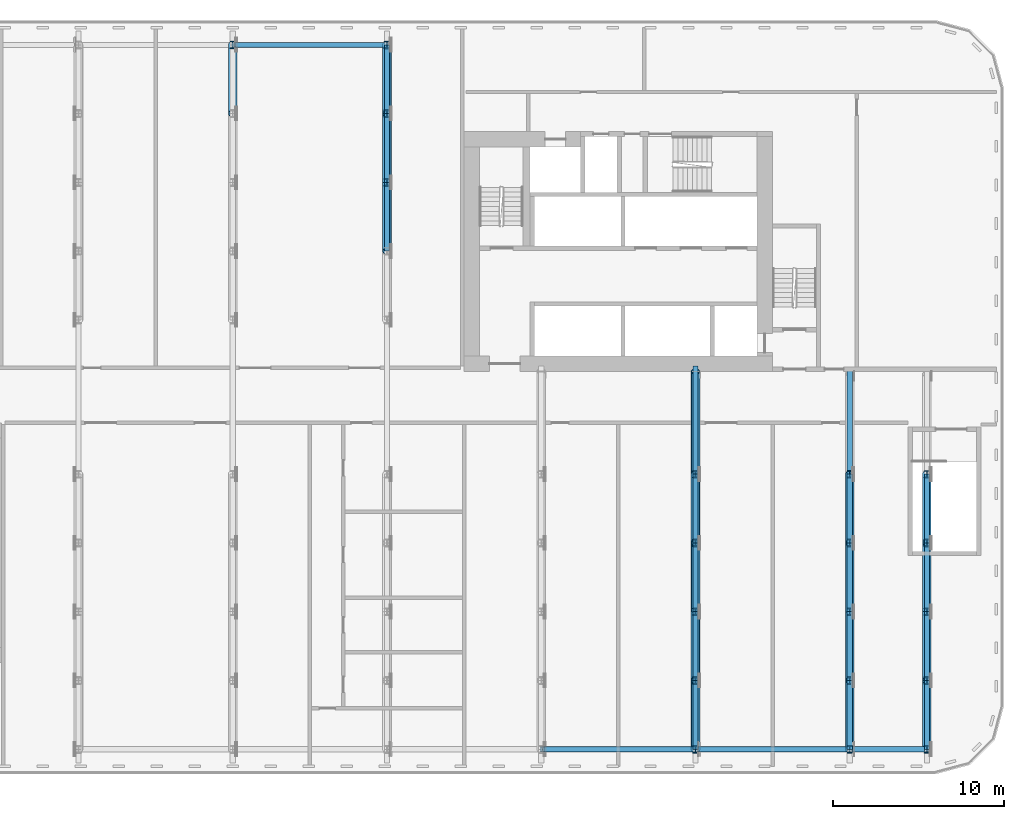
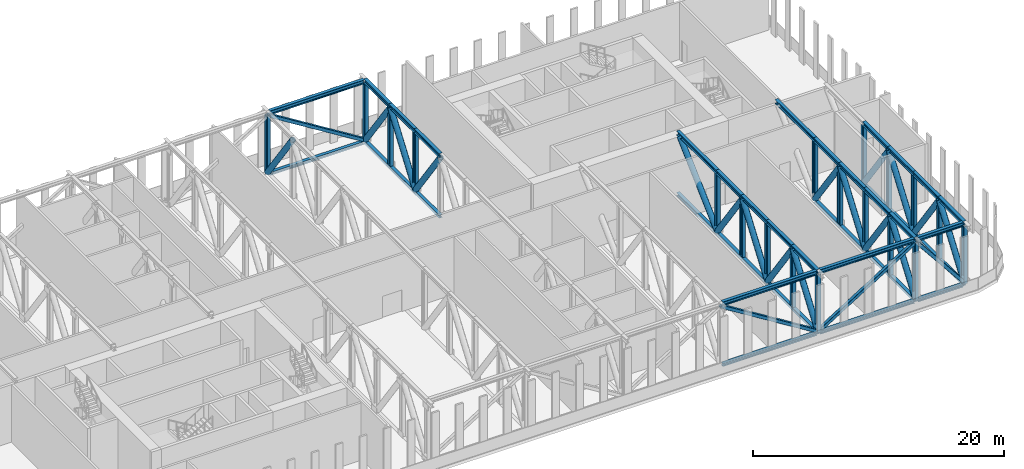
# One storey, part 4 of 26: 81 members.
"""IFC4 building model written with IfcOpenShell, lengths in metres."""

from ifc_helpers import new_model, si_unit, direction, frame, origin, origin_2d, place, context, subcontext, project, spatial, hollow_rectangle, hollow_circle, i_section, extrude, material, material_profile, profile_set, type_object, element, save


model = new_model("IFC4")

# Units and contexts
model_context = context("Model", 3, precision=1e-05, world=origin(), true_north=direction((0.0, 1.0)))
body_context = subcontext(model_context, "Body", "Model", "MODEL_VIEW")
ifc_project = project(units=[si_unit("LENGTHUNIT", "METRE"), si_unit("AREAUNIT", "SQUARE_METRE"), si_unit("VOLUMEUNIT", "CUBIC_METRE"), si_unit("PLANEANGLEUNIT", "RADIAN"), si_unit("MASSUNIT", "GRAM", prefix="KILO")], contexts=[model_context])

# Site, building, storey
site_placement = place(None, origin())
site = spatial("IfcSite", under=ifc_project, at=site_placement, CompositionType="ELEMENT")
building_placement = place(site_placement, origin())
building = spatial("IfcBuilding", under=site, at=building_placement, Name="Kajstack Hotel Tower", CompositionType="ELEMENT")
storey_placement = place(building_placement, frame((0.0, 0.0, 47.0)))
storey = spatial("IfcBuildingStorey", under=building, at=storey_placement, Name="L07", CompositionType="ELEMENT", Elevation=47.0)

# Members
ifc_material = material(Name="Steel S355J2", Category="steel")
ifc_material_profile_1 = material_profile(ifc_material, i_section(OverallWidth=0.300048828125, OverallDepth=0.300048828125, WebThickness=0.010986328125, FlangeThickness=0.01904296875, FilletRadius=0.027099609375, at=origin_2d()), Name="HEB 300")
ifc_profile_set_1 = profile_set([ifc_material_profile_1], Name="Steel S355J2")
member_type_1 = type_object("IfcMemberType", Name="Belt truss bottom chord BB1 HEB 300", PredefinedType="CHORD", material=ifc_profile_set_1)
for number, where, z_axis, x_axis, name in (
    (1, (18.14990234375, -20.550048828125, -0.14990234375), (1.0, 0.0, 0.0), (0.0, 1.0, 0.0), "S-belt-truss-L07-s08-b"),
    (2, (27.14990234375, -20.550048828125, -0.14990234375), (1.0, 0.0, 0.0), (0.0, 1.0, 0.0), "S-belt-truss-L07-s09-b"),
):
    element("IfcMember", number, at=place(storey_placement, frame(where, z_axis=z_axis, x_axis=x_axis)), inside=storey, type_object=member_type_1, Name=name, PredefinedType="CHORD", context=body_context, shape_type="SweptSolid", body=[
        extrude(i_section(OverallWidth=0.300048828125, OverallDepth=0.300048828125, WebThickness=0.010986328125, FlangeThickness=0.01904296875, FilletRadius=0.027099609375, at=origin_2d()), origin(), (0.0, 0.0, 1.0), 8.7001953125),
    ])
member_1_placement = place(storey_placement, frame((36.14990234375, -20.550048828125, -0.14990234375), z_axis=(1.0, 0.0, 0.0), x_axis=(0.0, 1.0, 0.0)))
element("IfcMember", 3, at=member_1_placement, inside=storey, type_object=member_type_1, Name="S-belt-truss-L07-s10-b", PredefinedType="CHORD", context=body_context, shape_type="SweptSolid", body=[
    extrude(i_section(OverallWidth=0.300048828125, OverallDepth=0.300048828125, WebThickness=0.010986328125, FlangeThickness=0.01904296875, FilletRadius=0.027099609375, at=origin_2d()), origin(), (0.0, 0.0, 1.0), 4.2001953125),
])
member_2_placement = place(storey_placement, frame((0.14990234375, 20.550048828125, -0.14990234375), z_axis=(1.0, 0.0, 0.0), x_axis=(0.0, 1.0, 0.0)))
element("IfcMember", 4, at=member_2_placement, inside=storey, type_object=member_type_1, Name="S-belt-truss-L07-n06-b", PredefinedType="CHORD", context=body_context, shape_type="SweptSolid", body=[
    extrude(i_section(OverallWidth=0.300048828125, OverallDepth=0.300048828125, WebThickness=0.010986328125, FlangeThickness=0.01904296875, FilletRadius=0.027099609375, at=origin_2d()), origin(), (0.0, 0.0, 1.0), 8.7001953125),
])
ifc_material_profile_2 = material_profile(ifc_material, hollow_rectangle(XDim=0.300048828125, YDim=0.300048828125, WallThickness=0.01611328125, InnerFilletRadius=0.01611328125, OuterFilletRadius=0.02392578125, at=origin_2d()), Name="SHS 300x300x16")
ifc_profile_set_2 = profile_set([ifc_material_profile_2], Name="Steel S355J2")
member_type_2 = type_object("IfcMemberType", Name="Belt truss diagonal BD1 SHS 300x300x16", PredefinedType="BRACE", material=ifc_profile_set_2)
for number, where, z_axis, x_axis, name in (
    (5, (27.0, -20.550048828125, 0.0), (-0.849052471267, 0.0, 0.528308528264), (0.0, -1.0, 0.0), "S-belt-truss-L07-s08-d"),
    (6, (27.0, -20.550048828125, 0.0), (0.849052471267, 0.0, 0.528308528264), (0.0, 1.0, 0.0), "S-belt-truss-L07-s09-d"),
):
    element("IfcMember", number, at=place(storey_placement, frame(where, z_axis=z_axis, x_axis=x_axis)), inside=storey, type_object=member_type_2, Name=name, PredefinedType="BRACE", context=body_context, shape_type="SweptSolid", body=[
        extrude(hollow_rectangle(XDim=0.300048828125, YDim=0.300048828125, WallThickness=0.01611328125, InnerFilletRadius=0.01611328125, OuterFilletRadius=0.02392578125, at=origin_2d()), origin(), (0.0, 0.0, 1.0), 10.60009765625),
    ])
member_3_placement = place(storey_placement, frame((40.5, -20.550048828125, 0.0), z_axis=(-0.626384470936, 0.0, 0.779514268356), x_axis=(0.0, -1.0, 0.0)))
element("IfcMember", 7, at=member_3_placement, inside=storey, type_object=member_type_2, Name="S-belt-truss-L07-s10-d", PredefinedType="BRACE", context=body_context, shape_type="SweptSolid", body=[
    extrude(hollow_rectangle(XDim=0.300048828125, YDim=0.300048828125, WallThickness=0.01611328125, InnerFilletRadius=0.01611328125, OuterFilletRadius=0.02392578125, at=origin_2d()), origin(), (0.0, 0.0, 1.0), 7.18408203125),
])
member_4_placement = place(storey_placement, frame((9.0, 20.550048828125, 0.0), z_axis=(-0.849052471267, 0.0, 0.528308528264), x_axis=(0.0, -1.0, 0.0)))
element("IfcMember", 8, at=member_4_placement, inside=storey, type_object=member_type_2, Name="S-belt-truss-L07-n06-d", PredefinedType="BRACE", context=body_context, shape_type="SweptSolid", body=[
    extrude(hollow_rectangle(XDim=0.300048828125, YDim=0.300048828125, WallThickness=0.01611328125, InnerFilletRadius=0.01611328125, OuterFilletRadius=0.02392578125, at=origin_2d()), origin(), (0.0, 0.0, 1.0), 10.60009765625),
])
ifc_material_profile_3 = material_profile(ifc_material, i_section(OverallWidth=0.300048828125, OverallDepth=0.39990234375, WebThickness=0.013427734375, FlangeThickness=0.02392578125, FilletRadius=0.027099609375, at=origin_2d()), Name="HEB 400")
ifc_profile_set_3 = profile_set([ifc_material_profile_3], Name="Steel S355J2")
member_type_3 = type_object("IfcMemberType", Name="Belt truss top chord BT1 HEB 400", PredefinedType="CHORD", material=ifc_profile_set_3)
for number, where, z_axis, x_axis, name in (
    (9, (18.14990234375, -20.550048828125, 5.800048828125), (1.0, 0.0, 0.0), (0.0, 1.0, 0.0), "S-belt-truss-L07-s08-t"),
    (10, (27.14990234375, -20.550048828125, 5.800048828125), (1.0, 0.0, 0.0), (0.0, 1.0, 0.0), "S-belt-truss-L07-s09-t"),
):
    element("IfcMember", number, at=place(storey_placement, frame(where, z_axis=z_axis, x_axis=x_axis)), inside=storey, type_object=member_type_3, Name=name, PredefinedType="CHORD", context=body_context, shape_type="SweptSolid", body=[
        extrude(i_section(OverallWidth=0.300048828125, OverallDepth=0.39990234375, WebThickness=0.013427734375, FlangeThickness=0.02392578125, FilletRadius=0.027099609375, at=origin_2d()), origin(), (0.0, 0.0, 1.0), 8.7001953125),
    ])
member_5_placement = place(storey_placement, frame((36.14990234375, -20.550048828125, 5.800048828125), z_axis=(1.0, 0.0, 0.0), x_axis=(0.0, 1.0, 0.0)))
element("IfcMember", 11, at=member_5_placement, inside=storey, type_object=member_type_3, Name="S-belt-truss-L07-s10-t", PredefinedType="CHORD", context=body_context, shape_type="SweptSolid", body=[
    extrude(i_section(OverallWidth=0.300048828125, OverallDepth=0.39990234375, WebThickness=0.013427734375, FlangeThickness=0.02392578125, FilletRadius=0.027099609375, at=origin_2d()), origin(), (0.0, 0.0, 1.0), 4.2001953125),
])
member_6_placement = place(storey_placement, frame((0.14990234375, 20.550048828125, 5.800048828125), z_axis=(1.0, 0.0, 0.0), x_axis=(0.0, 1.0, 0.0)))
element("IfcMember", 12, at=member_6_placement, inside=storey, type_object=member_type_3, Name="S-belt-truss-L07-n06-t", PredefinedType="CHORD", context=body_context, shape_type="SweptSolid", body=[
    extrude(i_section(OverallWidth=0.300048828125, OverallDepth=0.39990234375, WebThickness=0.013427734375, FlangeThickness=0.02392578125, FilletRadius=0.027099609375, at=origin_2d()), origin(), (0.0, 0.0, 1.0), 8.7001953125),
])
ifc_material_profile_4 = material_profile(ifc_material, i_section(OverallWidth=0.300048828125, OverallDepth=0.300048828125, WebThickness=0.010986328125, FlangeThickness=0.01904296875, FilletRadius=0.027099609375, at=origin_2d()), Name="HEB 300")
ifc_profile_set_4 = profile_set([ifc_material_profile_4], Name="Steel S355J2")
member_type_4 = type_object("IfcMemberType", Name="Transfer truss bottom chord BC1 HEB 300", PredefinedType="CHORD", material=ifc_profile_set_4)
member_7_placement = place(storey_placement, frame((9.0, 8.512451171875, -0.14990234375), z_axis=(0.0, 1.0, 0.0), x_axis=(-1.0, 0.0, 0.0)))
element("IfcMember", 13, at=member_7_placement, inside=storey, type_object=member_type_4, Name="S-transfer-truss-L07-+9p0-1-bc18", PredefinedType="CHORD", context=body_context, shape_type="SweptSolid", body=[
    extrude(i_section(OverallWidth=0.300048828125, OverallDepth=0.300048828125, WebThickness=0.010986328125, FlangeThickness=0.01904296875, FilletRadius=0.027099609375, at=origin_2d()), origin(), (0.0, 0.0, 1.0), 4.012451171875),
])
member_8_placement = place(storey_placement, frame((9.0, 12.52490234375, -0.14990234375), z_axis=(0.0, 1.0, 0.0), x_axis=(-1.0, 0.0, 0.0)))
element("IfcMember", 14, at=member_8_placement, inside=storey, type_object=member_type_4, Name="S-transfer-truss-L07-+9p0-1-bc19", PredefinedType="CHORD", context=body_context, shape_type="SweptSolid", body=[
    extrude(i_section(OverallWidth=0.300048828125, OverallDepth=0.300048828125, WebThickness=0.010986328125, FlangeThickness=0.01904296875, FilletRadius=0.027099609375, at=origin_2d()), origin(), (0.0, 0.0, 1.0), 4.0126953125),
])
for number, where, z_axis, x_axis, name in (
    (15, (9.0, 16.53759765625, -0.14990234375), (0.0, 1.0, 0.0), (-1.0, 0.0, 0.0), "S-transfer-truss-L07-+9p0-1-bc20"),
    (16, (27.0, -20.550048828125, -0.14990234375), (0.0, 1.0, 0.0), (-1.0, 0.0, 0.0), "S-outrigger-truss-L07-+27p0-1-bc7"),
):
    element("IfcMember", number, at=place(storey_placement, frame(where, z_axis=z_axis, x_axis=x_axis)), inside=storey, type_object=member_type_4, Name=name, PredefinedType="CHORD", context=body_context, shape_type="SweptSolid", body=[
        extrude(i_section(OverallWidth=0.300048828125, OverallDepth=0.300048828125, WebThickness=0.010986328125, FlangeThickness=0.01904296875, FilletRadius=0.027099609375, at=origin_2d()), origin(), (0.0, 0.0, 1.0), 4.012451171875),
    ])
member_9_placement = place(storey_placement, frame((27.0, -16.53759765625, -0.14990234375), z_axis=(0.0, 1.0, 0.0), x_axis=(-1.0, 0.0, 0.0)))
element("IfcMember", 17, at=member_9_placement, inside=storey, type_object=member_type_4, Name="S-outrigger-truss-L07-+27p0-1-bc8", PredefinedType="CHORD", context=body_context, shape_type="SweptSolid", body=[
    extrude(i_section(OverallWidth=0.300048828125, OverallDepth=0.300048828125, WebThickness=0.010986328125, FlangeThickness=0.01904296875, FilletRadius=0.027099609375, at=origin_2d()), origin(), (0.0, 0.0, 1.0), 4.0126953125),
])
for number, where, z_axis, x_axis, name in (
    (18, (27.0, -12.52490234375, -0.14990234375), (0.0, 1.0, 0.0), (-1.0, 0.0, 0.0), "S-outrigger-truss-L07-+27p0-1-bc9"),
    (19, (27.0, -8.512451171875, -0.14990234375), (0.0, 1.0, 0.0), (-1.0, 0.0, 0.0), "S-outrigger-truss-L07-+27p0-1-bc10"),
):
    element("IfcMember", number, at=place(storey_placement, frame(where, z_axis=z_axis, x_axis=x_axis)), inside=storey, type_object=member_type_4, Name=name, PredefinedType="CHORD", context=body_context, shape_type="SweptSolid", body=[
        extrude(i_section(OverallWidth=0.300048828125, OverallDepth=0.300048828125, WebThickness=0.010986328125, FlangeThickness=0.01904296875, FilletRadius=0.027099609375, at=origin_2d()), origin(), (0.0, 0.0, 1.0), 4.012451171875),
    ])
member_10_placement = place(storey_placement, frame((27.0, -4.5, -0.14990234375), z_axis=(0.0, 1.0, 0.0), x_axis=(-1.0, 0.0, 0.0)))
element("IfcMember", 20, at=member_10_placement, inside=storey, type_object=member_type_4, Name="S-outrigger-truss-L07-+27p0-1-bc11", PredefinedType="CHORD", context=body_context, shape_type="SweptSolid", body=[
    extrude(i_section(OverallWidth=0.300048828125, OverallDepth=0.300048828125, WebThickness=0.010986328125, FlangeThickness=0.01904296875, FilletRadius=0.027099609375, at=origin_2d()), origin(), (0.0, 0.0, 1.0), 6.300048828125),
])
member_11_placement = place(storey_placement, frame((36.0, -20.550048828125, -0.14990234375), z_axis=(0.0, 1.0, 0.0), x_axis=(-1.0, 0.0, 0.0)))
element("IfcMember", 21, at=member_11_placement, inside=storey, type_object=member_type_4, Name="S-transfer-truss-L07-+36p0-1-bc7", PredefinedType="CHORD", context=body_context, shape_type="SweptSolid", body=[
    extrude(i_section(OverallWidth=0.300048828125, OverallDepth=0.300048828125, WebThickness=0.010986328125, FlangeThickness=0.01904296875, FilletRadius=0.027099609375, at=origin_2d()), origin(), (0.0, 0.0, 1.0), 4.012451171875),
])
member_12_placement = place(storey_placement, frame((36.0, -16.53759765625, -0.14990234375), z_axis=(0.0, 1.0, 0.0), x_axis=(-1.0, 0.0, 0.0)))
element("IfcMember", 22, at=member_12_placement, inside=storey, type_object=member_type_4, Name="S-transfer-truss-L07-+36p0-1-bc8", PredefinedType="CHORD", context=body_context, shape_type="SweptSolid", body=[
    extrude(i_section(OverallWidth=0.300048828125, OverallDepth=0.300048828125, WebThickness=0.010986328125, FlangeThickness=0.01904296875, FilletRadius=0.027099609375, at=origin_2d()), origin(), (0.0, 0.0, 1.0), 4.0126953125),
])
for number, where, z_axis, x_axis, name in (
    (23, (36.0, -12.52490234375, -0.14990234375), (0.0, 1.0, 0.0), (-1.0, 0.0, 0.0), "S-transfer-truss-L07-+36p0-1-bc9"),
    (24, (36.0, -8.512451171875, -0.14990234375), (0.0, 1.0, 0.0), (-1.0, 0.0, 0.0), "S-transfer-truss-L07-+36p0-1-bc10"),
    (25, (40.5, -20.550048828125, -0.14990234375), (0.0, 1.0, 0.0), (-1.0, 0.0, 0.0), "S-transfer-truss-L07-+40p5-1-bc7"),
):
    element("IfcMember", number, at=place(storey_placement, frame(where, z_axis=z_axis, x_axis=x_axis)), inside=storey, type_object=member_type_4, Name=name, PredefinedType="CHORD", context=body_context, shape_type="SweptSolid", body=[
        extrude(i_section(OverallWidth=0.300048828125, OverallDepth=0.300048828125, WebThickness=0.010986328125, FlangeThickness=0.01904296875, FilletRadius=0.027099609375, at=origin_2d()), origin(), (0.0, 0.0, 1.0), 4.012451171875),
    ])
member_13_placement = place(storey_placement, frame((40.5, -16.53759765625, -0.14990234375), z_axis=(0.0, 1.0, 0.0), x_axis=(-1.0, 0.0, 0.0)))
element("IfcMember", 26, at=member_13_placement, inside=storey, type_object=member_type_4, Name="S-transfer-truss-L07-+40p5-1-bc8", PredefinedType="CHORD", context=body_context, shape_type="SweptSolid", body=[
    extrude(i_section(OverallWidth=0.300048828125, OverallDepth=0.300048828125, WebThickness=0.010986328125, FlangeThickness=0.01904296875, FilletRadius=0.027099609375, at=origin_2d()), origin(), (0.0, 0.0, 1.0), 4.0126953125),
])
for number, where, z_axis, x_axis, name in (
    (27, (40.5, -12.52490234375, -0.14990234375), (0.0, 1.0, 0.0), (-1.0, 0.0, 0.0), "S-transfer-truss-L07-+40p5-1-bc9"),
    (28, (40.5, -8.512451171875, -0.14990234375), (0.0, 1.0, 0.0), (-1.0, 0.0, 0.0), "S-transfer-truss-L07-+40p5-1-bc10"),
):
    element("IfcMember", number, at=place(storey_placement, frame(where, z_axis=z_axis, x_axis=x_axis)), inside=storey, type_object=member_type_4, Name=name, PredefinedType="CHORD", context=body_context, shape_type="SweptSolid", body=[
        extrude(i_section(OverallWidth=0.300048828125, OverallDepth=0.300048828125, WebThickness=0.010986328125, FlangeThickness=0.01904296875, FilletRadius=0.027099609375, at=origin_2d()), origin(), (0.0, 0.0, 1.0), 4.012451171875),
    ])
ifc_material_profile_5 = material_profile(ifc_material, hollow_circle(Radius=0.25390625, WallThickness=0.02490234375, at=origin_2d()), Name="CHS 508x25")
ifc_profile_set_5 = profile_set([ifc_material_profile_5], Name="Steel S355J2")
member_type_5 = type_object("IfcMemberType", Name="Transfer truss diagonal DG1 CHS 508x25", PredefinedType="BRACE", material=ifc_profile_set_5)
for number, where, z_axis, x_axis, name in (
    (29, (0.0, 20.550048828125, 0.0), (0.0, -0.582427626866, 0.812882561914), (1.0, 0.0, 0.0), "S-transfer-truss-L07-+0p0-1-dg38"),
    (30, (9.0, 12.52490234375, 0.0), (0.0, -0.582427626866, 0.812882561914), (1.0, 0.0, 0.0), "S-transfer-truss-L07-+9p0-1-dg36"),
):
    element("IfcMember", number, at=place(storey_placement, frame(where, z_axis=z_axis, x_axis=x_axis)), inside=storey, type_object=member_type_5, Name=name, PredefinedType="BRACE", context=body_context, shape_type="SweptSolid", body=[
        extrude(hollow_circle(Radius=0.25390625, WallThickness=0.02490234375, at=origin_2d()), origin(), (0.0, 0.0, 1.0), 6.88916015625),
    ])
member_14_placement = place(storey_placement, frame((9.0, 12.52490234375, 0.0), z_axis=(0.0, 0.582451042959, 0.812865783851), x_axis=(-1.0, 0.0, 0.0)))
element("IfcMember", 31, at=member_14_placement, inside=storey, type_object=member_type_5, Name="S-transfer-truss-L07-+9p0-1-dg37", PredefinedType="BRACE", context=body_context, shape_type="SweptSolid", body=[
    extrude(hollow_circle(Radius=0.25390625, WallThickness=0.02490234375, at=origin_2d()), origin(), (0.0, 0.0, 1.0), 6.889404296875),
])
for number, where, z_axis, x_axis, name in (
    (32, (9.0, 20.550048828125, 0.0), (0.0, -0.582427626866, 0.812882561914), (1.0, 0.0, 0.0), "S-transfer-truss-L07-+9p0-1-dg38"),
    (33, (27.0, -20.550048828125, 0.0), (0.0, 0.582427626866, 0.812882561914), (-1.0, 0.0, 0.0), "S-outrigger-truss-L07-+27p0-1-dg17"),
):
    element("IfcMember", number, at=place(storey_placement, frame(where, z_axis=z_axis, x_axis=x_axis)), inside=storey, type_object=member_type_5, Name=name, PredefinedType="BRACE", context=body_context, shape_type="SweptSolid", body=[
        extrude(hollow_circle(Radius=0.25390625, WallThickness=0.02490234375, at=origin_2d()), origin(), (0.0, 0.0, 1.0), 6.88916015625),
    ])
member_15_placement = place(storey_placement, frame((27.0, -12.52490234375, 0.0), z_axis=(0.0, -0.582451042959, 0.812865783851), x_axis=(1.0, 0.0, 0.0)))
element("IfcMember", 34, at=member_15_placement, inside=storey, type_object=member_type_5, Name="S-outrigger-truss-L07-+27p0-1-dg18", PredefinedType="BRACE", context=body_context, shape_type="SweptSolid", body=[
    extrude(hollow_circle(Radius=0.25390625, WallThickness=0.02490234375, at=origin_2d()), origin(), (0.0, 0.0, 1.0), 6.889404296875),
])
for number, where, z_axis, x_axis, name in (
    (35, (27.0, -12.52490234375, 0.0), (0.0, 0.582427626866, 0.812882561914), (-1.0, 0.0, 0.0), "S-outrigger-truss-L07-+27p0-1-dg19"),
    (36, (27.0, -4.5, 0.0), (0.0, -0.582427626866, 0.812882561914), (1.0, 0.0, 0.0), "S-outrigger-truss-L07-+27p0-1-dg20"),
):
    element("IfcMember", number, at=place(storey_placement, frame(where, z_axis=z_axis, x_axis=x_axis)), inside=storey, type_object=member_type_5, Name=name, PredefinedType="BRACE", context=body_context, shape_type="SweptSolid", body=[
        extrude(hollow_circle(Radius=0.25390625, WallThickness=0.02490234375, at=origin_2d()), origin(), (0.0, 0.0, 1.0), 6.88916015625),
    ])
member_16_placement = place(storey_placement, frame((27.0, -4.5, 0.0), z_axis=(0.0, 0.731049333052, 0.682324609438), x_axis=(-1.0, 0.0, 0.0)))
element("IfcMember", 37, at=member_16_placement, inside=storey, type_object=member_type_5, Name="S-outrigger-truss-L07-+27p0-1-dg21", PredefinedType="BRACE", context=body_context, shape_type="SweptSolid", body=[
    extrude(hollow_circle(Radius=0.25390625, WallThickness=0.02490234375, at=origin_2d()), origin(), (0.0, 0.0, 1.0), 8.207275390625),
])
member_17_placement = place(storey_placement, frame((36.0, -20.550048828125, 0.0), z_axis=(0.0, 0.582427626866, 0.812882561914), x_axis=(-1.0, 0.0, 0.0)))
element("IfcMember", 38, at=member_17_placement, inside=storey, type_object=member_type_5, Name="S-transfer-truss-L07-+36p0-1-dg17", PredefinedType="BRACE", context=body_context, shape_type="SweptSolid", body=[
    extrude(hollow_circle(Radius=0.25390625, WallThickness=0.02490234375, at=origin_2d()), origin(), (0.0, 0.0, 1.0), 6.88916015625),
])
member_18_placement = place(storey_placement, frame((36.0, -12.52490234375, 0.0), z_axis=(0.0, -0.582451042959, 0.812865783851), x_axis=(1.0, 0.0, 0.0)))
element("IfcMember", 39, at=member_18_placement, inside=storey, type_object=member_type_5, Name="S-transfer-truss-L07-+36p0-1-dg18", PredefinedType="BRACE", context=body_context, shape_type="SweptSolid", body=[
    extrude(hollow_circle(Radius=0.25390625, WallThickness=0.02490234375, at=origin_2d()), origin(), (0.0, 0.0, 1.0), 6.889404296875),
])
for number, where, z_axis, x_axis, name in (
    (40, (36.0, -12.52490234375, 0.0), (0.0, 0.582427626866, 0.812882561914), (-1.0, 0.0, 0.0), "S-transfer-truss-L07-+36p0-1-dg19"),
    (41, (36.0, -4.5, 0.0), (0.0, -0.582427626866, 0.812882561914), (1.0, 0.0, 0.0), "S-transfer-truss-L07-+36p0-1-dg20"),
    (42, (40.5, -20.550048828125, 0.0), (0.0, 0.582427626866, 0.812882561914), (-1.0, 0.0, 0.0), "S-transfer-truss-L07-+40p5-1-dg17"),
):
    element("IfcMember", number, at=place(storey_placement, frame(where, z_axis=z_axis, x_axis=x_axis)), inside=storey, type_object=member_type_5, Name=name, PredefinedType="BRACE", context=body_context, shape_type="SweptSolid", body=[
        extrude(hollow_circle(Radius=0.25390625, WallThickness=0.02490234375, at=origin_2d()), origin(), (0.0, 0.0, 1.0), 6.88916015625),
    ])
member_19_placement = place(storey_placement, frame((40.5, -12.52490234375, 0.0), z_axis=(0.0, -0.582451042959, 0.812865783851), x_axis=(1.0, 0.0, 0.0)))
element("IfcMember", 43, at=member_19_placement, inside=storey, type_object=member_type_5, Name="S-transfer-truss-L07-+40p5-1-dg18", PredefinedType="BRACE", context=body_context, shape_type="SweptSolid", body=[
    extrude(hollow_circle(Radius=0.25390625, WallThickness=0.02490234375, at=origin_2d()), origin(), (0.0, 0.0, 1.0), 6.889404296875),
])
for number, where, z_axis, x_axis, name in (
    (44, (40.5, -12.52490234375, 0.0), (0.0, 0.582427626866, 0.812882561914), (-1.0, 0.0, 0.0), "S-transfer-truss-L07-+40p5-1-dg19"),
    (45, (40.5, -4.5, 0.0), (0.0, -0.582427626866, 0.812882561914), (1.0, 0.0, 0.0), "S-transfer-truss-L07-+40p5-1-dg20"),
):
    element("IfcMember", number, at=place(storey_placement, frame(where, z_axis=z_axis, x_axis=x_axis)), inside=storey, type_object=member_type_5, Name=name, PredefinedType="BRACE", context=body_context, shape_type="SweptSolid", body=[
        extrude(hollow_circle(Radius=0.25390625, WallThickness=0.02490234375, at=origin_2d()), origin(), (0.0, 0.0, 1.0), 6.88916015625),
    ])
ifc_material_profile_6 = material_profile(ifc_material, i_section(OverallWidth=0.306884765625, OverallDepth=0.431884765625, WebThickness=0.02099609375, FlangeThickness=0.0400390625, FilletRadius=0.027099609375, at=origin_2d()), Name="HEM 400")
ifc_profile_set_6 = profile_set([ifc_material_profile_6], Name="Steel S355J2")
member_type_6 = type_object("IfcMemberType", Name="Transfer truss post PO1 HEM 400", PredefinedType="POST", material=ifc_profile_set_6)
for number, where, z_axis, x_axis, name in (
    (46, (0.0, 20.550048828125, 0.0), (0.0, 0.0, 1.0), (1.0, 0.0, 0.0), "S-transfer-truss-L07-+0p0-1-po30"),
    (47, (9.0, 12.52490234375, 0.0), (0.0, 0.0, 1.0), (1.0, 0.0, 0.0), "S-transfer-truss-L07-+9p0-1-po28"),
    (48, (9.0, 16.53759765625, 0.0), (0.0, 0.0, 1.0), (1.0, 0.0, 0.0), "S-transfer-truss-L07-+9p0-1-po29"),
    (49, (9.0, 20.550048828125, 0.0), (0.0, 0.0, 1.0), (1.0, 0.0, 0.0), "S-transfer-truss-L07-+9p0-1-po30"),
    (50, (27.0, -20.550048828125, 0.0), (0.0, 0.0, 1.0), (1.0, 0.0, 0.0), "S-outrigger-truss-L07-+27p0-1-po12"),
    (51, (27.0, -16.53759765625, 0.0), (0.0, 0.0, 1.0), (1.0, 0.0, 0.0), "S-outrigger-truss-L07-+27p0-1-po13"),
    (52, (27.0, -12.52490234375, 0.0), (0.0, 0.0, 1.0), (1.0, 0.0, 0.0), "S-outrigger-truss-L07-+27p0-1-po14"),
    (53, (27.0, -8.512451171875, 0.0), (0.0, 0.0, 1.0), (1.0, 0.0, 0.0), "S-outrigger-truss-L07-+27p0-1-po15"),
    (54, (27.0, -4.5, 0.0), (0.0, 0.0, 1.0), (1.0, 0.0, 0.0), "S-outrigger-truss-L07-+27p0-1-po16"),
    (55, (36.0, -20.550048828125, 0.0), (0.0, 0.0, 1.0), (1.0, 0.0, 0.0), "S-transfer-truss-L07-+36p0-1-po12"),
    (56, (36.0, -16.53759765625, 0.0), (0.0, 0.0, 1.0), (1.0, 0.0, 0.0), "S-transfer-truss-L07-+36p0-1-po13"),
    (57, (36.0, -12.52490234375, 0.0), (0.0, 0.0, 1.0), (1.0, 0.0, 0.0), "S-transfer-truss-L07-+36p0-1-po14"),
    (58, (36.0, -8.512451171875, 0.0), (0.0, 0.0, 1.0), (1.0, 0.0, 0.0), "S-transfer-truss-L07-+36p0-1-po15"),
    (59, (36.0, -4.5, 0.0), (0.0, 0.0, 1.0), (1.0, 0.0, 0.0), "S-transfer-truss-L07-+36p0-1-po16"),
    (60, (40.5, -20.550048828125, 0.0), (0.0, 0.0, 1.0), (1.0, 0.0, 0.0), "S-transfer-truss-L07-+40p5-1-po12"),
    (61, (40.5, -16.53759765625, 0.0), (0.0, 0.0, 1.0), (1.0, 0.0, 0.0), "S-transfer-truss-L07-+40p5-1-po13"),
    (62, (40.5, -12.52490234375, 0.0), (0.0, 0.0, 1.0), (1.0, 0.0, 0.0), "S-transfer-truss-L07-+40p5-1-po14"),
    (63, (40.5, -8.512451171875, 0.0), (0.0, 0.0, 1.0), (1.0, 0.0, 0.0), "S-transfer-truss-L07-+40p5-1-po15"),
    (64, (40.5, -4.5, 0.0), (0.0, 0.0, 1.0), (1.0, 0.0, 0.0), "S-transfer-truss-L07-+40p5-1-po16"),
):
    element("IfcMember", number, at=place(storey_placement, frame(where, z_axis=z_axis, x_axis=x_axis)), inside=storey, type_object=member_type_6, Name=name, PredefinedType="POST", context=body_context, shape_type="SweptSolid", body=[
        extrude(i_section(OverallWidth=0.306884765625, OverallDepth=0.431884765625, WebThickness=0.02099609375, FlangeThickness=0.0400390625, FilletRadius=0.027099609375, at=origin_2d()), origin(), (0.0, 0.0, 1.0), 5.60009765625),
    ])
ifc_material_profile_7 = material_profile(ifc_material, i_section(OverallWidth=0.300048828125, OverallDepth=0.39990234375, WebThickness=0.013427734375, FlangeThickness=0.02392578125, FilletRadius=0.027099609375, at=origin_2d()), Name="HEB 400")
ifc_profile_set_7 = profile_set([ifc_material_profile_7], Name="Steel S355J2")
member_type_7 = type_object("IfcMemberType", Name="Transfer truss top chord TC1 HEB 400", PredefinedType="CHORD", material=ifc_profile_set_7)
member_20_placement = place(storey_placement, frame((9.0, 8.512451171875, 5.800048828125), z_axis=(0.0, 1.0, 0.0), x_axis=(-1.0, 0.0, 0.0)))
element("IfcMember", 65, at=member_20_placement, inside=storey, type_object=member_type_7, Name="S-transfer-truss-L07-+9p0-1-tc8", PredefinedType="CHORD", context=body_context, shape_type="SweptSolid", body=[
    extrude(i_section(OverallWidth=0.300048828125, OverallDepth=0.39990234375, WebThickness=0.013427734375, FlangeThickness=0.02392578125, FilletRadius=0.027099609375, at=origin_2d()), origin(), (0.0, 0.0, 1.0), 4.012451171875),
])
member_21_placement = place(storey_placement, frame((9.0, 12.52490234375, 5.800048828125), z_axis=(0.0, 1.0, 0.0), x_axis=(-1.0, 0.0, 0.0)))
element("IfcMember", 66, at=member_21_placement, inside=storey, type_object=member_type_7, Name="S-transfer-truss-L07-+9p0-1-tc9", PredefinedType="CHORD", context=body_context, shape_type="SweptSolid", body=[
    extrude(i_section(OverallWidth=0.300048828125, OverallDepth=0.39990234375, WebThickness=0.013427734375, FlangeThickness=0.02392578125, FilletRadius=0.027099609375, at=origin_2d()), origin(), (0.0, 0.0, 1.0), 4.0126953125),
])
for number, where, z_axis, x_axis, name in (
    (67, (9.0, 16.53759765625, 5.800048828125), (0.0, 1.0, 0.0), (-1.0, 0.0, 0.0), "S-transfer-truss-L07-+9p0-1-tc10"),
    (68, (27.0, -20.550048828125, 5.800048828125), (0.0, 1.0, 0.0), (-1.0, 0.0, 0.0), "S-outrigger-truss-L07-+27p0-1-tc2"),
):
    element("IfcMember", number, at=place(storey_placement, frame(where, z_axis=z_axis, x_axis=x_axis)), inside=storey, type_object=member_type_7, Name=name, PredefinedType="CHORD", context=body_context, shape_type="SweptSolid", body=[
        extrude(i_section(OverallWidth=0.300048828125, OverallDepth=0.39990234375, WebThickness=0.013427734375, FlangeThickness=0.02392578125, FilletRadius=0.027099609375, at=origin_2d()), origin(), (0.0, 0.0, 1.0), 4.012451171875),
    ])
member_22_placement = place(storey_placement, frame((27.0, -16.53759765625, 5.800048828125), z_axis=(0.0, 1.0, 0.0), x_axis=(-1.0, 0.0, 0.0)))
element("IfcMember", 69, at=member_22_placement, inside=storey, type_object=member_type_7, Name="S-outrigger-truss-L07-+27p0-1-tc3", PredefinedType="CHORD", context=body_context, shape_type="SweptSolid", body=[
    extrude(i_section(OverallWidth=0.300048828125, OverallDepth=0.39990234375, WebThickness=0.013427734375, FlangeThickness=0.02392578125, FilletRadius=0.027099609375, at=origin_2d()), origin(), (0.0, 0.0, 1.0), 4.0126953125),
])
for number, where, z_axis, x_axis, name in (
    (70, (27.0, -12.52490234375, 5.800048828125), (0.0, 1.0, 0.0), (-1.0, 0.0, 0.0), "S-outrigger-truss-L07-+27p0-1-tc4"),
    (71, (27.0, -8.512451171875, 5.800048828125), (0.0, 1.0, 0.0), (-1.0, 0.0, 0.0), "S-outrigger-truss-L07-+27p0-1-tc5"),
):
    element("IfcMember", number, at=place(storey_placement, frame(where, z_axis=z_axis, x_axis=x_axis)), inside=storey, type_object=member_type_7, Name=name, PredefinedType="CHORD", context=body_context, shape_type="SweptSolid", body=[
        extrude(i_section(OverallWidth=0.300048828125, OverallDepth=0.39990234375, WebThickness=0.013427734375, FlangeThickness=0.02392578125, FilletRadius=0.027099609375, at=origin_2d()), origin(), (0.0, 0.0, 1.0), 4.012451171875),
    ])
member_23_placement = place(storey_placement, frame((27.0, -4.5, 5.800048828125), z_axis=(0.0, 1.0, 0.0), x_axis=(-1.0, 0.0, 0.0)))
element("IfcMember", 72, at=member_23_placement, inside=storey, type_object=member_type_7, Name="S-outrigger-truss-L07-+27p0-1-tc6", PredefinedType="CHORD", context=body_context, shape_type="SweptSolid", body=[
    extrude(i_section(OverallWidth=0.300048828125, OverallDepth=0.39990234375, WebThickness=0.013427734375, FlangeThickness=0.02392578125, FilletRadius=0.027099609375, at=origin_2d()), origin(), (0.0, 0.0, 1.0), 6.300048828125),
])
member_24_placement = place(storey_placement, frame((36.0, -20.550048828125, 5.800048828125), z_axis=(0.0, 1.0, 0.0), x_axis=(-1.0, 0.0, 0.0)))
element("IfcMember", 73, at=member_24_placement, inside=storey, type_object=member_type_7, Name="S-transfer-truss-L07-+36p0-1-tc2", PredefinedType="CHORD", context=body_context, shape_type="SweptSolid", body=[
    extrude(i_section(OverallWidth=0.300048828125, OverallDepth=0.39990234375, WebThickness=0.013427734375, FlangeThickness=0.02392578125, FilletRadius=0.027099609375, at=origin_2d()), origin(), (0.0, 0.0, 1.0), 4.012451171875),
])
member_25_placement = place(storey_placement, frame((36.0, -16.53759765625, 5.800048828125), z_axis=(0.0, 1.0, 0.0), x_axis=(-1.0, 0.0, 0.0)))
element("IfcMember", 74, at=member_25_placement, inside=storey, type_object=member_type_7, Name="S-transfer-truss-L07-+36p0-1-tc3", PredefinedType="CHORD", context=body_context, shape_type="SweptSolid", body=[
    extrude(i_section(OverallWidth=0.300048828125, OverallDepth=0.39990234375, WebThickness=0.013427734375, FlangeThickness=0.02392578125, FilletRadius=0.027099609375, at=origin_2d()), origin(), (0.0, 0.0, 1.0), 4.0126953125),
])
for number, where, z_axis, x_axis, name in (
    (75, (36.0, -12.52490234375, 5.800048828125), (0.0, 1.0, 0.0), (-1.0, 0.0, 0.0), "S-transfer-truss-L07-+36p0-1-tc4"),
    (76, (36.0, -8.512451171875, 5.800048828125), (0.0, 1.0, 0.0), (-1.0, 0.0, 0.0), "S-transfer-truss-L07-+36p0-1-tc5"),
):
    element("IfcMember", number, at=place(storey_placement, frame(where, z_axis=z_axis, x_axis=x_axis)), inside=storey, type_object=member_type_7, Name=name, PredefinedType="CHORD", context=body_context, shape_type="SweptSolid", body=[
        extrude(i_section(OverallWidth=0.300048828125, OverallDepth=0.39990234375, WebThickness=0.013427734375, FlangeThickness=0.02392578125, FilletRadius=0.027099609375, at=origin_2d()), origin(), (0.0, 0.0, 1.0), 4.012451171875),
    ])
member_26_placement = place(storey_placement, frame((36.0, -4.5, 5.800048828125), z_axis=(0.0, 1.0, 0.0), x_axis=(-1.0, 0.0, 0.0)))
element("IfcMember", 77, at=member_26_placement, inside=storey, type_object=member_type_7, Name="S-transfer-truss-L07-+36p0-1-tc6", PredefinedType="CHORD", context=body_context, shape_type="SweptSolid", body=[
    extrude(i_section(OverallWidth=0.300048828125, OverallDepth=0.39990234375, WebThickness=0.013427734375, FlangeThickness=0.02392578125, FilletRadius=0.027099609375, at=origin_2d()), origin(), (0.0, 0.0, 1.0), 6.14990234375),
])
member_27_placement = place(storey_placement, frame((40.5, -20.550048828125, 5.800048828125), z_axis=(0.0, 1.0, 0.0), x_axis=(-1.0, 0.0, 0.0)))
element("IfcMember", 78, at=member_27_placement, inside=storey, type_object=member_type_7, Name="S-transfer-truss-L07-+40p5-1-tc2", PredefinedType="CHORD", context=body_context, shape_type="SweptSolid", body=[
    extrude(i_section(OverallWidth=0.300048828125, OverallDepth=0.39990234375, WebThickness=0.013427734375, FlangeThickness=0.02392578125, FilletRadius=0.027099609375, at=origin_2d()), origin(), (0.0, 0.0, 1.0), 4.012451171875),
])
member_28_placement = place(storey_placement, frame((40.5, -16.53759765625, 5.800048828125), z_axis=(0.0, 1.0, 0.0), x_axis=(-1.0, 0.0, 0.0)))
element("IfcMember", 79, at=member_28_placement, inside=storey, type_object=member_type_7, Name="S-transfer-truss-L07-+40p5-1-tc3", PredefinedType="CHORD", context=body_context, shape_type="SweptSolid", body=[
    extrude(i_section(OverallWidth=0.300048828125, OverallDepth=0.39990234375, WebThickness=0.013427734375, FlangeThickness=0.02392578125, FilletRadius=0.027099609375, at=origin_2d()), origin(), (0.0, 0.0, 1.0), 4.0126953125),
])
for number, where, z_axis, x_axis, name in (
    (80, (40.5, -12.52490234375, 5.800048828125), (0.0, 1.0, 0.0), (-1.0, 0.0, 0.0), "S-transfer-truss-L07-+40p5-1-tc4"),
    (81, (40.5, -8.512451171875, 5.800048828125), (0.0, 1.0, 0.0), (-1.0, 0.0, 0.0), "S-transfer-truss-L07-+40p5-1-tc5"),
):
    element("IfcMember", number, at=place(storey_placement, frame(where, z_axis=z_axis, x_axis=x_axis)), inside=storey, type_object=member_type_7, Name=name, PredefinedType="CHORD", context=body_context, shape_type="SweptSolid", body=[
        extrude(i_section(OverallWidth=0.300048828125, OverallDepth=0.39990234375, WebThickness=0.013427734375, FlangeThickness=0.02392578125, FilletRadius=0.027099609375, at=origin_2d()), origin(), (0.0, 0.0, 1.0), 4.012451171875),
    ])

save(model, "model.ifc")
